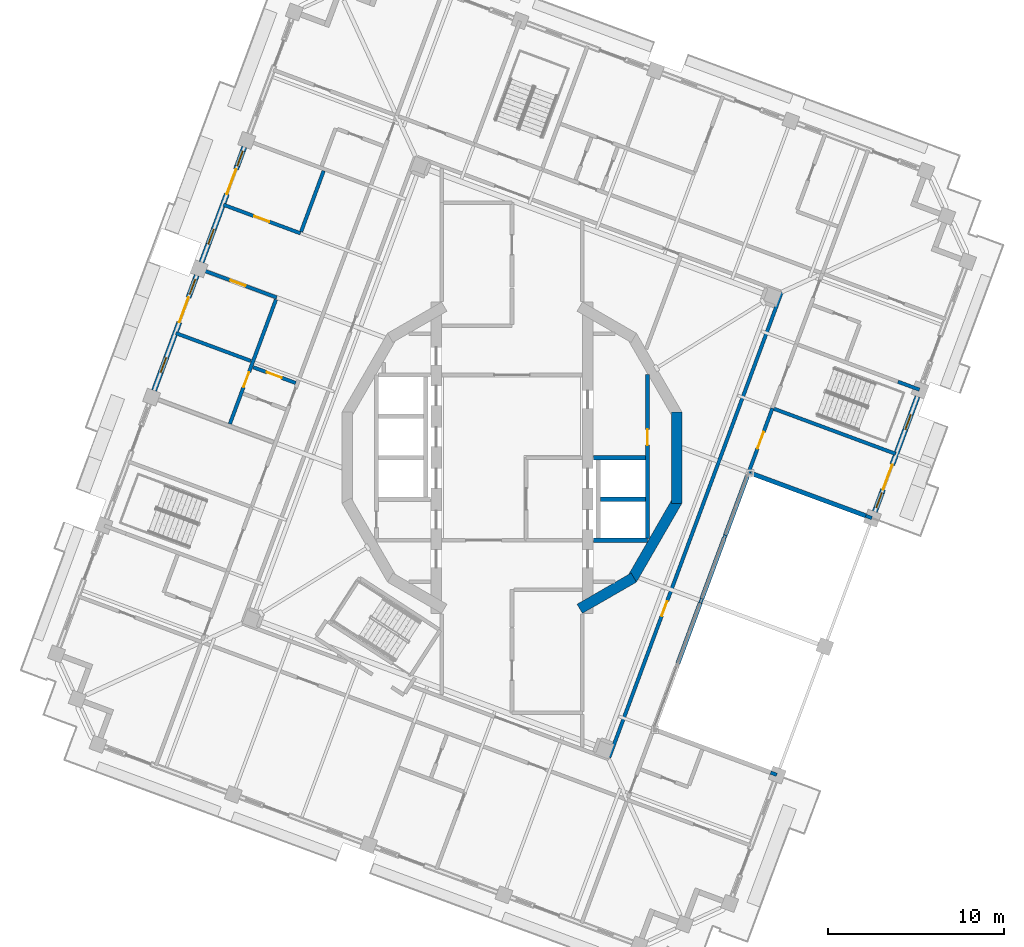
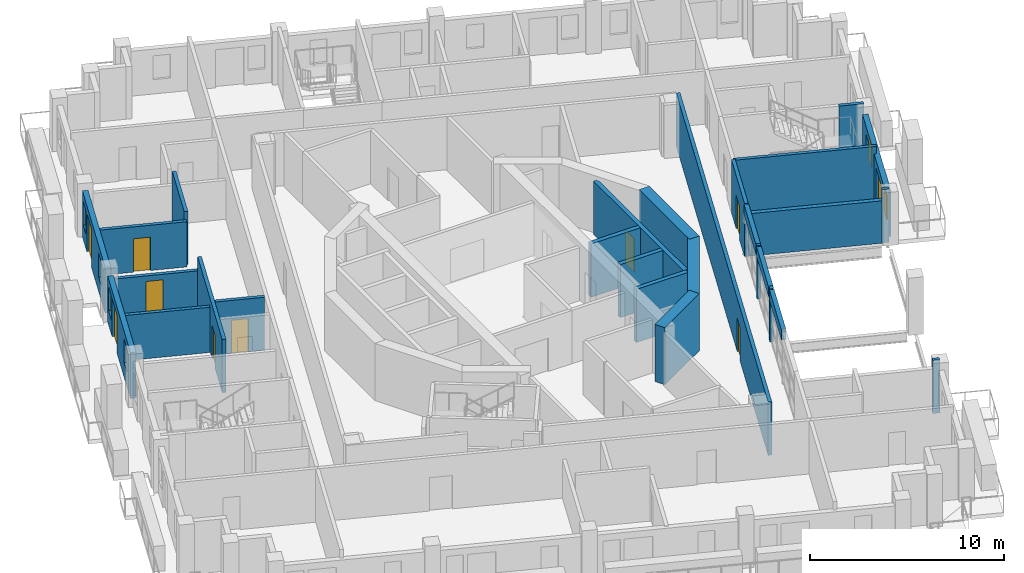
# One storey, part 8 of 19: 28 walls, 10 doors, 6 windows, 16 openings.
"""IFC4 building model written with IfcOpenShell, lengths in metres."""

import ifcopenshell
import ifcopenshell.guid

model = None  # the IFC model being written
_history = None  # IfcOwnerHistory: only IFC2X3 demands one
_inside = {}  # id of a spatial element -> (the spatial element, [elements in it])
_under = {}  # id of a project, library or spatial element -> (it, [spatial elements below it])
_declared = {}  # id of a project -> (the project, [libraries it declares])
_typed = {}  # id of a type object -> (the type object, [elements of that type])
_made_of = {}  # id of a material, layer set ... -> (it, [elements and type objects made of it])


def new_model(schema):
    """Start an empty IFC model of exactly this schema.

    Asked for "IFC4X3", IfcOpenShell would pick the latest addendum, in which some entities
    have other attributes; the version numbers below select the first issue.
    IFC2X3 requires an IfcOwnerHistory on every rooted entity: one is made here for all.
    """
    global model, _history
    if schema == "IFC4X3":
        model = ifcopenshell.file(schema_version=(4, 3, 0, 0))
    else:
        model = ifcopenshell.file(schema=schema)
    _inside.clear()
    _under.clear()
    _declared.clear()
    _typed.clear()
    _made_of.clear()
    _history = None
    if model.schema == "IFC2X3":
        org = make("IfcOrganization", Name="unknown")
        user = make(
            "IfcPersonAndOrganization",
            ThePerson=make("IfcPerson", FamilyName="unknown"),
            TheOrganization=org,
        )
        app = make(
            "IfcApplication",
            ApplicationDeveloper=org,
            Version="unknown",
            ApplicationFullName="unknown",
            ApplicationIdentifier="unknown",
        )
        _history = make(
            "IfcOwnerHistory",
            OwningUser=user,
            OwningApplication=app,
            ChangeAction="ADDED",
            CreationDate=0,
        )
    return model


def make(cls, **values):
    """One entity of the class cls with the attributes given. An attribute that is None is left unset."""
    return model.create_entity(
        cls, **{name: value for name, value in values.items() if value is not None}
    )


def rooted(cls, **values):
    """An entity with a GlobalId (a new one), such as an element, a storey or a relation."""
    return make(cls, GlobalId=ifcopenshell.guid.new(), OwnerHistory=_history, **values)


def si_unit(unit_type, name, prefix=None):
    """IfcSIUnit, for example si_unit("LENGTHUNIT", "METRE", prefix="MILLI")."""
    return make("IfcSIUnit", UnitType=unit_type, Prefix=prefix, Name=name)


def assignment(units):
    """IfcUnitAssignment: the units of a project."""
    return None if units is None else make("IfcUnitAssignment", Units=units)


def point(xyz):
    """IfcCartesianPoint."""
    return None if xyz is None else make("IfcCartesianPoint", Coordinates=xyz)


def direction(xyz):
    """IfcDirection."""
    return None if xyz is None else make("IfcDirection", DirectionRatios=xyz)


def frame(location, z_axis=None, x_axis=None):
    """IfcAxis2Placement3D, a coordinate frame: its origin and axes. An axis left out is left unset."""
    return make(
        "IfcAxis2Placement3D",
        Location=point(location),
        Axis=direction(z_axis),
        RefDirection=direction(x_axis),
    )


def frame_2d(location, x_axis=None):
    """IfcAxis2Placement2D, a coordinate frame in the plane: its origin and x axis."""
    return make(
        "IfcAxis2Placement2D", Location=point(location), RefDirection=direction(x_axis)
    )


def origin():
    """The frame at (0, 0, 0) with its axes left unset."""
    return frame((0.0, 0.0, 0.0))


def place(relative_to, where):
    """IfcLocalPlacement: puts the frame where relative to a parent placement (None: the world)."""
    return make(
        "IfcLocalPlacement", PlacementRelTo=relative_to, RelativePlacement=where
    )


def context(
    kind, dimensions, precision=None, world=None, true_north=None, identifier=None
):
    """IfcGeometricRepresentationContext, for example the 3D "Model" context."""
    return make(
        "IfcGeometricRepresentationContext",
        ContextIdentifier=identifier,
        ContextType=kind,
        CoordinateSpaceDimension=dimensions,
        Precision=precision,
        WorldCoordinateSystem=world,
        TrueNorth=true_north,
    )


def subcontext(parent, identifier, kind, view, scale=None):
    """IfcGeometricRepresentationSubContext, for example "Body" below "Model"."""
    return make(
        "IfcGeometricRepresentationSubContext",
        ContextIdentifier=identifier,
        ContextType=kind,
        ParentContext=parent,
        TargetScale=scale,
        TargetView=view,
    )


def project(units=None, contexts=None):
    """IfcProject with its units and contexts."""
    return rooted(
        "IfcProject",
        Name="project",
        RepresentationContexts=contexts,
        UnitsInContext=assignment(units),
    )


def spatial(cls, under=None, at=None, **own):
    """A site, building, storey or space (cls), placed at a placement, below another one or the project."""
    s = rooted(cls, ObjectPlacement=at, **own)
    if under is not None:
        _under.setdefault(under.id(), (under, []))[1].append(s)
    return s


def profile(cls, at=None, kind="AREA", **sizes):
    """A parametric profile (cls). Its sizes go by their IFC names, for example OverallWidth=200.0."""
    return make(cls, ProfileType=kind, Position=at, **sizes)


def rectangle(**sizes):
    """IfcRectangleProfileDef."""
    return profile("IfcRectangleProfileDef", **sizes)


def extrude(swept, where, along, depth):
    """IfcExtrudedAreaSolid: the profile swept, set in the frame where, extruded along a direction by depth."""
    return make(
        "IfcExtrudedAreaSolid",
        SweptArea=swept,
        Position=where,
        ExtrudedDirection=direction(along),
        Depth=depth,
    )


def shape(context_of_items, identifier, shape_type, items):
    """IfcShapeRepresentation: the items that make up one representation, for example the "Body"."""
    return make(
        "IfcShapeRepresentation",
        ContextOfItems=context_of_items,
        RepresentationIdentifier=identifier,
        RepresentationType=shape_type,
        Items=items,
    )


def material(Name=None, Category=None):
    """IfcMaterial."""
    return make("IfcMaterial", Name=Name, Category=Category)


def layer(
    of_material, thickness, ventilated=None, Name=None, Category=None, Priority=None
):
    """IfcMaterialLayer: one layer of a wall or slab, of a material (None: an air gap)."""
    return make(
        "IfcMaterialLayer",
        Material=of_material,
        LayerThickness=thickness,
        IsVentilated=ventilated,
        Name=Name,
        Category=Category,
        Priority=Priority,
    )


def layer_set(layers, Name=None):
    """IfcMaterialLayerSet."""
    return make("IfcMaterialLayerSet", MaterialLayers=layers, LayerSetName=Name)


def made_of(thing, what):
    """Note that an element or type object is made of a material, layer set ...; save() writes the relation."""
    if what is not None:
        _made_of.setdefault(what.id(), (what, []))[1].append(thing)
    return thing


def type_object(cls, material=None, **own):
    """A type object (cls), such as IfcWallType, which elements share."""
    return made_of(rooted(cls, **own), material)


def element(
    cls,
    number,
    at=None,
    inside=None,
    cuts=None,
    type_object=None,
    material=None,
    context=None,
    identifier="Body",
    shape_type=None,
    held_by="IfcProductDefinitionShape",
    body=None,
    shapes=None,
    **own,
):
    """One element of the class cls, such as IfcWall. Its Tag is "e" and its number.

    at: its placement. inside: the storey or other place that contains it. cuts: it is an
    opening in that element (IfcRelVoidsElement). A single representation is given by context,
    identifier, shape_type and body (its items); several are given by shapes. held_by: the class
    of the entity that holds the representations. save() writes the other relations.
    """
    e = rooted(cls, Tag="e%d" % number, ObjectPlacement=at, **own)
    if body is not None:
        shapes = [shape(context, identifier, shape_type, body)]
    if shapes is not None:
        e.Representation = make(held_by, Representations=shapes)
    if inside is not None:
        _inside.setdefault(inside.id(), (inside, []))[1].append(e)
    if cuts is not None:
        rooted(
            "IfcRelVoidsElement", RelatingBuildingElement=cuts, RelatedOpeningElement=e
        )
    if type_object is not None:
        _typed.setdefault(type_object.id(), (type_object, []))[1].append(e)
    return made_of(e, material)


def fill(opening, filler):
    """IfcRelFillsElement: the door or window that sits in an opening."""
    return rooted(
        "IfcRelFillsElement",
        RelatingOpeningElement=opening,
        RelatedBuildingElement=filler,
    )


def aggregate(whole, parts):
    """IfcRelAggregates: a whole, such as a stair, and the parts it consists of."""
    return rooted("IfcRelAggregates", RelatingObject=whole, RelatedObjects=parts)


def save(model, path):
    """Write the relations noted so far, then the file.

    IfcRelAggregates (storeys below a building ...), IfcRelContainedInSpatialStructure (elements
    in a storey), IfcRelDefinesByType, IfcRelAssociatesMaterial and IfcRelDeclares: one each for
    every whole, place, type object, material and project.
    """
    for whole, parts in _under.values():
        aggregate(whole, parts)
    for where, things in _inside.values():
        rooted(
            "IfcRelContainedInSpatialStructure",
            RelatedElements=things,
            RelatingStructure=where,
        )
    for kind, things in _typed.values():
        rooted("IfcRelDefinesByType", RelatedObjects=things, RelatingType=kind)
    for what, things in _made_of.values():
        rooted("IfcRelAssociatesMaterial", RelatedObjects=things, RelatingMaterial=what)
    for by, libraries in _declared.values():
        rooted("IfcRelDeclares", RelatingContext=by, RelatedDefinitions=libraries)
    model.write(path)


model = new_model("IFC4")

# Units and contexts
model_context = context("Model", 3, precision=1e-05, world=origin(), true_north=direction((0.0, 1.0)))
body_context = subcontext(model_context, "Body", "Model", "MODEL_VIEW")
ifc_project = project(units=[si_unit("LENGTHUNIT", "METRE"), si_unit("AREAUNIT", "SQUARE_METRE"), si_unit("VOLUMEUNIT", "CUBIC_METRE"), si_unit("PLANEANGLEUNIT", "RADIAN"), si_unit("MASSUNIT", "GRAM", prefix="KILO")], contexts=[model_context])

# Site, building, storey
site_placement = place(None, origin())
site = spatial("IfcSite", under=ifc_project, at=site_placement, CompositionType="ELEMENT")
building_placement = place(site_placement, origin())
building = spatial("IfcBuilding", under=site, at=building_placement, Name="Cantera Rosa Tower", CompositionType="ELEMENT")
storey_placement = place(building_placement, frame((0.0, 0.0, 334.89990234375)))
storey = spatial("IfcBuildingStorey", under=building, at=storey_placement, Name="L75", CompositionType="ELEMENT", Elevation=334.89990234375)

# Wall, opening, door
ifc_material_1 = material(Name="Gypsum board partition")
ifc_layer_1 = layer(ifc_material_1, 0.199951171875)
ifc_layer_set_1 = layer_set([ifc_layer_1], Name="CORRIDOR WALL 200 H3350")
wall_type_1 = type_object("IfcWallType", Name="CORRIDOR WALL 200 H3350", PredefinedType="PARTITIONING", material=ifc_layer_set_1)
wall_1_placement = place(storey_placement, frame((5.526123046875, -17.031494140625, 0.0), z_axis=(0.0, 0.0, 1.0), x_axis=(0.347486069264, 0.937685145274, 0.0)))
wall_1 = element("IfcWall", 1, at=wall_1_placement, inside=storey, type_object=wall_type_1, Name="CORRIDOR WALL L75-085", PredefinedType="PARTITIONING", context=body_context, shape_type="SweptSolid", body=[
    extrude(rectangle(XDim=28.199951171875, YDim=0.199951171875, at=frame_2d((14.10009765625, 0.0))), origin(), (0.0, 0.0, 1.0), 3.35009765625),
])
opening_1_placement = place(wall_1_placement, frame((8.570068359375, 0.0, 0.0)))
opening_1 = element("IfcOpeningElement", 2, at=opening_1_placement, cuts=wall_1, Name="Opening L75-007", PredefinedType="OPENING", context=body_context, shape_type="SweptSolid", body=[
    extrude(rectangle(XDim=0.89990234375, YDim=2.10009765625, at=frame_2d((0.449951171875, 1.050048828125))), frame((0.0, 0.10986328125, 0.0), z_axis=(0.0, -1.0, 0.0), x_axis=(1.0, 0.0, 0.0)), (0.0, 0.0, 1.0), 0.219970703125),
])
ifc_material_2 = material(Name="Timber door leaf", Category="wood")
door_type_1 = type_object("IfcDoorType", Name="SERVICE DOOR 900x2100", OperationType="NOTDEFINED", PredefinedType="DOOR", material=ifc_material_2)
door_1_placement = place(opening_1_placement, origin())
door_1 = element("IfcDoor", 3, at=door_1_placement, inside=storey, type_object=door_type_1, Name="DOOR L75-007", OperationType="NOTDEFINED", OverallHeight=2.10009765625, OverallWidth=0.89990234375, PredefinedType="DOOR", context=body_context, shape_type="SweptSolid", body=[
    extrude(rectangle(XDim=0.89990234375, YDim=2.10009765625, at=frame_2d((0.449951171875, 1.050048828125))), frame((0.0, 0.02490234375, 0.0), z_axis=(0.0, -1.0, 0.0), x_axis=(1.0, 0.0, 0.0)), (0.0, 0.0, 1.0), 0.050048828125),
])
fill(opening_1, door_1)

# Walls
wall_2_placement = place(storey_placement, frame((10.69775390625, -8.256103515625, 0.0), z_axis=(0.0, 0.0, 1.0), x_axis=(0.347639521276, 0.937628264957, 0.0)))
element("IfcWall", 4, at=wall_2_placement, inside=storey, type_object=wall_type_1, Name="CORRIDOR WALL L75-092", PredefinedType="PARTITIONING", context=body_context, shape_type="SweptSolid", body=[
    extrude(rectangle(XDim=0.26904296875, YDim=0.199951171875, at=frame_2d((0.134521484375, 0.0))), origin(), (0.0, 0.0, 1.0), 3.35009765625),
])
wall_3_placement = place(storey_placement, frame((12.0625, -4.573486328125, 0.0), z_axis=(0.0, 0.0, 1.0), x_axis=(0.347396343458, 0.937718390857, 0.0)))
element("IfcWall", 5, at=wall_3_placement, inside=storey, type_object=wall_type_1, Name="CORRIDOR WALL L75-093", PredefinedType="PARTITIONING", context=body_context, shape_type="SweptSolid", body=[
    extrude(rectangle(XDim=0.19384765625, YDim=0.199951171875, at=frame_2d((0.096923828125, 0.0))), origin(), (0.0, 0.0, 1.0), 3.35009765625),
])

# Wall, opening, door
wall_4_placement = place(storey_placement, frame((13.404296875, -0.9521484375, 0.0), z_axis=(0.0, 0.0, 1.0), x_axis=(0.347502485966, 0.937679061432, 0.0)))
wall_4 = element("IfcWall", 6, at=wall_4_placement, inside=storey, type_object=wall_type_1, Name="CORRIDOR WALL L75-094", PredefinedType="PARTITIONING", context=body_context, shape_type="SweptSolid", body=[
    extrude(rectangle(XDim=4.01513671875, YDim=0.199951171875, at=frame_2d((2.007568359375, 0.0))), origin(), (0.0, 0.0, 1.0), 3.35009765625),
])
opening_2_placement = place(wall_4_placement, frame((1.570068359375, 0.0, 0.0)))
opening_2 = element("IfcOpeningElement", 7, at=opening_2_placement, cuts=wall_4, Name="Opening L75-045", PredefinedType="OPENING", context=body_context, shape_type="SweptSolid", body=[
    extrude(rectangle(XDim=1.0, YDim=2.10009765625, at=frame_2d((0.5, 1.050048828125))), frame((0.0, 0.10986328125, 0.0), z_axis=(0.0, -1.0, 0.0), x_axis=(1.0, 0.0, 0.0)), (0.0, 0.0, 1.0), 0.219970703125),
])
ifc_material_3 = material(Name="Timber door leaf", Category="wood")
door_type_2 = type_object("IfcDoorType", Name="ROOM DOOR 1000x2100", OperationType="NOTDEFINED", PredefinedType="DOOR", material=ifc_material_3)
door_2_placement = place(opening_2_placement, origin())
door_2 = element("IfcDoor", 8, at=door_2_placement, inside=storey, type_object=door_type_2, Name="DOOR L75-045", OperationType="NOTDEFINED", OverallHeight=2.10009765625, OverallWidth=1.0, PredefinedType="DOOR", context=body_context, shape_type="SweptSolid", body=[
    extrude(rectangle(XDim=1.0, YDim=2.10009765625, at=frame_2d((0.5, 1.050048828125))), frame((0.0, 0.02490234375, 0.0), z_axis=(0.0, -1.0, 0.0), x_axis=(1.0, 0.0, 0.0)), (0.0, 0.0, 1.0), 0.050048828125),
])
fill(opening_2, door_2)

# Wall, openings, windows, door
ifc_material_4 = material(Name="Hollow clay masonry with cantera stone cladding", Category="masonry")
ifc_layer_2 = layer(ifc_material_4, 0.300048828125)
ifc_layer_set_2 = layer_set([ifc_layer_2], Name="EW-LOGGIA 300 H2890")
wall_type_2 = type_object("IfcWallType", Name="EW-LOGGIA 300 H2890", PredefinedType="SOLIDWALL", material=ifc_layer_set_2)
wall_5_placement = place(storey_placement, frame((-15.212646484375, 17.65625, 0.0), z_axis=(0.0, 0.0, 1.0), x_axis=(-0.347502316452, -0.937679124253, 0.0)))
wall_5 = element("IfcWall", 9, at=wall_5_placement, inside=storey, type_object=wall_type_2, Name="EN-L75-W08", PredefinedType="SOLIDWALL", context=body_context, shape_type="SweptSolid", body=[
    extrude(rectangle(XDim=6.97998046875, YDim=0.300048828125, at=frame_2d((3.489990234375, 0.0))), origin(), (0.0, 0.0, 1.0), 2.89013671875),
])
opening_3_placement = place(wall_5_placement, frame((0.2451171875, 0.0, 0.89990234375)))
opening_3 = element("IfcOpeningElement", 10, at=opening_3_placement, cuts=wall_5, Name="Opening L75-W16", PredefinedType="OPENING", context=body_context, shape_type="SweptSolid", body=[
    extrude(rectangle(XDim=0.89990234375, YDim=1.5, at=frame_2d((0.449951171875, 0.75))), frame((0.0, 0.159912109375, 0.0), z_axis=(0.0, -1.0, 0.0), x_axis=(1.0, 0.0, 0.0)), (0.0, 0.0, 1.0), 0.320068359375),
])
opening_4_placement = place(wall_5_placement, frame((1.344970703125, 0.0, 0.0)))
opening_4 = element("IfcOpeningElement", 11, at=opening_4_placement, cuts=wall_5, Name="Opening L75-TD17", PredefinedType="OPENING", context=body_context, shape_type="SweptSolid", body=[
    extrude(rectangle(XDim=1.5, YDim=2.39990234375, at=frame_2d((0.75, 1.199951171875))), frame((0.0, 0.159912109375, 0.0), z_axis=(0.0, -1.0, 0.0), x_axis=(1.0, 0.0, 0.0)), (0.0, 0.0, 1.0), 0.320068359375),
])
opening_5_placement = place(wall_5_placement, frame((4.985107421875, 0.0, 0.89990234375)))
opening_5 = element("IfcOpeningElement", 12, at=opening_5_placement, cuts=wall_5, Name="Opening L75-W18", PredefinedType="OPENING", context=body_context, shape_type="SweptSolid", body=[
    extrude(rectangle(XDim=0.89990234375, YDim=1.5, at=frame_2d((0.449951171875, 0.75))), frame((0.0, 0.159912109375, 0.0), z_axis=(0.0, -1.0, 0.0), x_axis=(1.0, 0.0, 0.0)), (0.0, 0.0, 1.0), 0.320068359375),
])
ifc_material_5 = material(Name="Aluminium frame with clear glass", Category="aluminium")
window_type = type_object("IfcWindowType", Name="Residential window 900x1500", PartitioningType="SINGLE_PANEL", PredefinedType="WINDOW", material=ifc_material_5)
window_1_placement = place(opening_3_placement, origin())
window_1 = element("IfcWindow", 13, at=window_1_placement, inside=storey, type_object=window_type, Name="WINDOW L75-W16", OverallHeight=1.5, OverallWidth=0.89990234375, PartitioningType="SINGLE_PANEL", PredefinedType="WINDOW", context=body_context, shape_type="SweptSolid", body=[
    extrude(rectangle(XDim=0.89990234375, YDim=1.5, at=frame_2d((0.449951171875, 0.75))), frame((0.0, 0.030029296875, 0.0), z_axis=(0.0, -1.0, 0.0), x_axis=(1.0, 0.0, 0.0)), (0.0, 0.0, 1.0), 0.06005859375),
])
fill(opening_3, window_1)
window_2_placement = place(opening_5_placement, origin())
window_2 = element("IfcWindow", 14, at=window_2_placement, inside=storey, type_object=window_type, Name="WINDOW L75-W18", OverallHeight=1.5, OverallWidth=0.89990234375, PartitioningType="SINGLE_PANEL", PredefinedType="WINDOW", context=body_context, shape_type="SweptSolid", body=[
    extrude(rectangle(XDim=0.89990234375, YDim=1.5, at=frame_2d((0.449951171875, 0.75))), frame((0.0, 0.030029296875, 0.0), z_axis=(0.0, -1.0, 0.0), x_axis=(1.0, 0.0, 0.0)), (0.0, 0.0, 1.0), 0.06005859375),
])
fill(opening_5, window_2)
ifc_material_6 = material(Name="Aluminium frame with clear glass", Category="aluminium")
door_type_3 = type_object("IfcDoorType", Name="TD-R 1500x2400", OperationType="NOTDEFINED", PredefinedType="DOOR", material=ifc_material_6)
door_3_placement = place(opening_4_placement, origin())
door_3 = element("IfcDoor", 15, at=door_3_placement, inside=storey, type_object=door_type_3, Name="LOGGIA DOOR L75-TD17", OperationType="SLIDING_TO_LEFT", OverallHeight=2.39990234375, OverallWidth=1.5, PredefinedType="DOOR", context=body_context, shape_type="SweptSolid", body=[
    extrude(rectangle(XDim=1.5, YDim=2.39990234375, at=frame_2d((0.75, 1.199951171875))), frame((0.0, 0.02490234375, 0.0), z_axis=(0.0, -1.0, 0.0), x_axis=(1.0, 0.0, 0.0)), (0.0, 0.0, 1.0), 0.050048828125),
])
fill(opening_4, door_3)

wall_6_placement = place(storey_placement, frame((-17.916015625, 10.361083984375, 0.0), z_axis=(0.0, 0.0, 1.0), x_axis=(-0.347502316452, -0.937679124253, 0.0)))
wall_6 = element("IfcWall", 16, at=wall_6_placement, inside=storey, type_object=wall_type_2, Name="EN-L75-W09", PredefinedType="SOLIDWALL", context=body_context, shape_type="SweptSolid", body=[
    extrude(rectangle(XDim=6.97998046875, YDim=0.300048828125, at=frame_2d((3.489990234375, 0.0))), origin(), (0.0, 0.0, 1.0), 2.89013671875),
])
opening_6_placement = place(wall_6_placement, frame((0.2451171875, 0.0, 0.89990234375)))
opening_6 = element("IfcOpeningElement", 17, at=opening_6_placement, cuts=wall_6, Name="Opening L75-W19", PredefinedType="OPENING", context=body_context, shape_type="SweptSolid", body=[
    extrude(rectangle(XDim=0.89990234375, YDim=1.5, at=frame_2d((0.449951171875, 0.75))), frame((0.0, 0.159912109375, 0.0), z_axis=(0.0, -1.0, 0.0), x_axis=(1.0, 0.0, 0.0)), (0.0, 0.0, 1.0), 0.320068359375),
])
opening_7_placement = place(wall_6_placement, frame((1.344970703125, 0.0, 0.0)))
opening_7 = element("IfcOpeningElement", 18, at=opening_7_placement, cuts=wall_6, Name="Opening L75-TD20", PredefinedType="OPENING", context=body_context, shape_type="SweptSolid", body=[
    extrude(rectangle(XDim=1.5, YDim=2.39990234375, at=frame_2d((0.75, 1.199951171875))), frame((0.0, 0.159912109375, 0.0), z_axis=(0.0, -1.0, 0.0), x_axis=(1.0, 0.0, 0.0)), (0.0, 0.0, 1.0), 0.320068359375),
])
opening_8_placement = place(wall_6_placement, frame((4.985107421875, 0.0, 0.89990234375)))
opening_8 = element("IfcOpeningElement", 19, at=opening_8_placement, cuts=wall_6, Name="Opening L75-W21", PredefinedType="OPENING", context=body_context, shape_type="SweptSolid", body=[
    extrude(rectangle(XDim=0.89990234375, YDim=1.5, at=frame_2d((0.449951171875, 0.75))), frame((0.0, 0.159912109375, 0.0), z_axis=(0.0, -1.0, 0.0), x_axis=(1.0, 0.0, 0.0)), (0.0, 0.0, 1.0), 0.320068359375),
])
window_3_placement = place(opening_6_placement, origin())
window_3 = element("IfcWindow", 20, at=window_3_placement, inside=storey, type_object=window_type, Name="WINDOW L75-W19", OverallHeight=1.5, OverallWidth=0.89990234375, PartitioningType="SINGLE_PANEL", PredefinedType="WINDOW", context=body_context, shape_type="SweptSolid", body=[
    extrude(rectangle(XDim=0.89990234375, YDim=1.5, at=frame_2d((0.449951171875, 0.75))), frame((0.0, 0.030029296875, 0.0), z_axis=(0.0, -1.0, 0.0), x_axis=(1.0, 0.0, 0.0)), (0.0, 0.0, 1.0), 0.06005859375),
])
fill(opening_6, window_3)
window_4_placement = place(opening_8_placement, origin())
window_4 = element("IfcWindow", 21, at=window_4_placement, inside=storey, type_object=window_type, Name="WINDOW L75-W21", OverallHeight=1.5, OverallWidth=0.89990234375, PartitioningType="SINGLE_PANEL", PredefinedType="WINDOW", context=body_context, shape_type="SweptSolid", body=[
    extrude(rectangle(XDim=0.89990234375, YDim=1.5, at=frame_2d((0.449951171875, 0.75))), frame((0.0, 0.030029296875, 0.0), z_axis=(0.0, -1.0, 0.0), x_axis=(1.0, 0.0, 0.0)), (0.0, 0.0, 1.0), 0.06005859375),
])
fill(opening_8, window_4)
door_4_placement = place(opening_7_placement, origin())
door_4 = element("IfcDoor", 22, at=door_4_placement, inside=storey, type_object=door_type_3, Name="LOGGIA DOOR L75-TD20", OperationType="SLIDING_TO_LEFT", OverallHeight=2.39990234375, OverallWidth=1.5, PredefinedType="DOOR", context=body_context, shape_type="SweptSolid", body=[
    extrude(rectangle(XDim=1.5, YDim=2.39990234375, at=frame_2d((0.75, 1.199951171875))), frame((0.0, 0.02490234375, 0.0), z_axis=(0.0, -1.0, 0.0), x_axis=(1.0, 0.0, 0.0)), (0.0, 0.0, 1.0), 0.050048828125),
])
fill(opening_7, door_4)

wall_7_placement = place(storey_placement, frame((20.61962890625, -3.06591796875, 0.0), z_axis=(0.0, 0.0, 1.0), x_axis=(0.347471562124, 0.937690521182, 0.0)))
wall_7 = element("IfcWall", 23, at=wall_7_placement, inside=storey, type_object=wall_type_2, Name="EN-L75-W23", PredefinedType="SOLIDWALL", context=body_context, shape_type="SweptSolid", body=[
    extrude(rectangle(XDim=6.979736328125, YDim=0.300048828125, at=frame_2d((3.48974609375, 0.0))), origin(), (0.0, 0.0, 1.0), 2.89013671875),
])
opening_9_placement = place(wall_7_placement, frame((0.2451171875, 0.0, 0.89990234375)))
opening_9 = element("IfcOpeningElement", 24, at=opening_9_placement, cuts=wall_7, Name="Opening L75-W43", PredefinedType="OPENING", context=body_context, shape_type="SweptSolid", body=[
    extrude(rectangle(XDim=0.89990234375, YDim=1.5, at=frame_2d((0.449951171875, 0.75))), frame((0.0, 0.159912109375, 0.0), z_axis=(0.0, -1.0, 0.0), x_axis=(1.0, 0.0, 0.0)), (0.0, 0.0, 1.0), 0.320068359375),
])
opening_10_placement = place(wall_7_placement, frame((1.344970703125, 0.0, 0.0)))
opening_10 = element("IfcOpeningElement", 25, at=opening_10_placement, cuts=wall_7, Name="Opening L75-TD44", PredefinedType="OPENING", context=body_context, shape_type="SweptSolid", body=[
    extrude(rectangle(XDim=1.5, YDim=2.39990234375, at=frame_2d((0.75, 1.199951171875))), frame((0.0, 0.159912109375, 0.0), z_axis=(0.0, -1.0, 0.0), x_axis=(1.0, 0.0, 0.0)), (0.0, 0.0, 1.0), 0.320068359375),
])
opening_11_placement = place(wall_7_placement, frame((4.985107421875, 0.0, 0.89990234375)))
opening_11 = element("IfcOpeningElement", 26, at=opening_11_placement, cuts=wall_7, Name="Opening L75-W45", PredefinedType="OPENING", context=body_context, shape_type="SweptSolid", body=[
    extrude(rectangle(XDim=0.89990234375, YDim=1.5, at=frame_2d((0.449951171875, 0.75))), frame((0.0, 0.159912109375, 0.0), z_axis=(0.0, -1.0, 0.0), x_axis=(1.0, 0.0, 0.0)), (0.0, 0.0, 1.0), 0.320068359375),
])
window_5_placement = place(opening_9_placement, origin())
window_5 = element("IfcWindow", 27, at=window_5_placement, inside=storey, type_object=window_type, Name="WINDOW L75-W43", OverallHeight=1.5, OverallWidth=0.89990234375, PartitioningType="SINGLE_PANEL", PredefinedType="WINDOW", context=body_context, shape_type="SweptSolid", body=[
    extrude(rectangle(XDim=0.89990234375, YDim=1.5, at=frame_2d((0.449951171875, 0.75))), frame((0.0, 0.030029296875, 0.0), z_axis=(0.0, -1.0, 0.0), x_axis=(1.0, 0.0, 0.0)), (0.0, 0.0, 1.0), 0.06005859375),
])
fill(opening_9, window_5)
window_6_placement = place(opening_11_placement, origin())
window_6 = element("IfcWindow", 28, at=window_6_placement, inside=storey, type_object=window_type, Name="WINDOW L75-W45", OverallHeight=1.5, OverallWidth=0.89990234375, PartitioningType="SINGLE_PANEL", PredefinedType="WINDOW", context=body_context, shape_type="SweptSolid", body=[
    extrude(rectangle(XDim=0.89990234375, YDim=1.5, at=frame_2d((0.449951171875, 0.75))), frame((0.0, 0.030029296875, 0.0), z_axis=(0.0, -1.0, 0.0), x_axis=(1.0, 0.0, 0.0)), (0.0, 0.0, 1.0), 0.06005859375),
])
fill(opening_11, window_6)
door_5_placement = place(opening_10_placement, origin())
door_5 = element("IfcDoor", 29, at=door_5_placement, inside=storey, type_object=door_type_3, Name="LOGGIA DOOR L75-TD44", OperationType="SLIDING_TO_LEFT", OverallHeight=2.39990234375, OverallWidth=1.5, PredefinedType="DOOR", context=body_context, shape_type="SweptSolid", body=[
    extrude(rectangle(XDim=1.5, YDim=2.39990234375, at=frame_2d((0.75, 1.199951171875))), frame((0.0, 0.02490234375, 0.0), z_axis=(0.0, -1.0, 0.0), x_axis=(1.0, 0.0, 0.0)), (0.0, 0.0, 1.0), 0.050048828125),
])
fill(opening_10, door_5)

# Walls
ifc_material_7 = material(Name="Concrete C40/50", Category="concrete")
ifc_layer_3 = layer(ifc_material_7, 0.25)
ifc_layer_set_3 = layer_set([ifc_layer_3], Name="EW-POCKET CHEEK 250 H2670")
wall_type_3 = type_object("IfcWallType", Name="EW-POCKET CHEEK 250 H2670", PredefinedType="SOLIDWALL", material=ifc_layer_set_3)
wall_8_placement = place(storey_placement, frame((20.10546875, -3.302001953125, 0.0), z_axis=(0.0, 0.0, 1.0), x_axis=(-0.937685216413, 0.347485877297, 0.0)))
element("IfcWall", 30, at=wall_8_placement, inside=storey, type_object=wall_type_3, Name="POCKET CHEEK B L75", PredefinedType="SOLIDWALL", context=body_context, shape_type="SweptSolid", body=[
    extrude(rectangle(XDim=7.0, YDim=0.25, at=frame_2d((3.5, 0.0))), origin(), (0.0, 0.0, 1.0), 2.670166015625),
])
ifc_material_8 = material(Name="Hollow clay masonry with cantera stone cladding", Category="masonry")
ifc_layer_4 = layer(ifc_material_8, 0.25)
ifc_layer_set_4 = layer_set([ifc_layer_4], Name="EW-POCKET REAR 250")
wall_type_4 = type_object("IfcWallType", Name="EW-POCKET REAR 250", PredefinedType="SOLIDWALL", material=ifc_layer_set_4)
for number, where, z_axis, x_axis, name in (
    (31, (9.426513671875, -11.686767578125, 2.658203125), (0.0, 0.0, 1.0), (0.347486056262, 0.937685150092, 0.0), "POCKET SPANDREL L75-2"),
    (32, (10.791259765625, -8.00390625, 2.658203125), (0.0, 0.0, 1.0), (0.347486056262, 0.937685150092, 0.0), "POCKET SPANDREL L75-3"),
):
    element("IfcWall", number, at=place(storey_placement, frame(where, z_axis=z_axis, x_axis=x_axis)), inside=storey, type_object=wall_type_4, Name=name, PredefinedType="SOLIDWALL", context=body_context, shape_type="SweptSolid", body=[
        extrude(rectangle(XDim=3.658447265625, YDim=0.25, at=frame_2d((1.8291015625, 0.0))), origin(), (0.0, 0.0, 1.0), 0.641845703125),
    ])
wall_9_placement = place(storey_placement, frame((12.1298828125, -4.3916015625, 2.658203125), z_axis=(0.0, 0.0, 1.0), x_axis=(0.347502945149, 0.937678891259, 0.0)))
element("IfcWall", 33, at=wall_9_placement, inside=storey, type_object=wall_type_4, Name="POCKET SPANDREL L75-4", PredefinedType="SOLIDWALL", context=body_context, shape_type="SweptSolid", body=[
    extrude(rectangle(XDim=3.66796875, YDim=0.25, at=frame_2d((1.833984375, 0.0))), origin(), (0.0, 0.0, 1.0), 0.641845703125),
])

# Wall, opening, door
ifc_material_9 = material(Name="Gypsum board partition")
ifc_layer_5 = layer(ifc_material_9, 0.199951171875)
ifc_layer_set_5 = layer_set([ifc_layer_5], Name="PARTITION 200 H2450")
wall_type_5 = type_object("IfcWallType", Name="PARTITION 200 H2450", PredefinedType="PARTITIONING", material=ifc_layer_set_5)
wall_10_placement = place(storey_placement, frame((-17.7490234375, 10.725830078125, 0.0), z_axis=(0.0, 0.0, 1.0), x_axis=(0.937680003703, -0.347499943388, 0.0)))
wall_10 = element("IfcWall", 34, at=wall_10_placement, inside=storey, type_object=wall_type_5, Name="PARTITION L75-005", PredefinedType="PARTITIONING", context=body_context, shape_type="SweptSolid", body=[
    extrude(rectangle(XDim=4.669921875, YDim=0.199951171875, at=frame_2d((2.3349609375, 0.0))), origin(), (0.0, 0.0, 1.0), 2.4501953125),
])
opening_12_placement = place(wall_10_placement, frame((1.8701171875, 0.0, 0.0)))
opening_12 = element("IfcOpeningElement", 35, at=opening_12_placement, cuts=wall_10, Name="Opening L75-032", PredefinedType="OPENING", context=body_context, shape_type="SweptSolid", body=[
    extrude(rectangle(XDim=0.89990234375, YDim=2.10009765625, at=frame_2d((0.449951171875, 1.050048828125))), frame((0.0, 0.10986328125, 0.0), z_axis=(0.0, -1.0, 0.0), x_axis=(1.0, 0.0, 0.0)), (0.0, 0.0, 1.0), 0.219970703125),
])
ifc_material_10 = material(Name="Timber door leaf", Category="wood")
door_type_4 = type_object("IfcDoorType", Name="ROOM DOOR 900x2100", OperationType="NOTDEFINED", PredefinedType="DOOR", material=ifc_material_10)
door_6_placement = place(opening_12_placement, origin())
door_6 = element("IfcDoor", 36, at=door_6_placement, inside=storey, type_object=door_type_4, Name="DOOR L75-032", OperationType="NOTDEFINED", OverallHeight=2.10009765625, OverallWidth=0.89990234375, PredefinedType="DOOR", context=body_context, shape_type="SweptSolid", body=[
    extrude(rectangle(XDim=0.89990234375, YDim=2.10009765625, at=frame_2d((0.449951171875, 1.050048828125))), frame((0.0, 0.02490234375, 0.0), z_axis=(0.0, -1.0, 0.0), x_axis=(1.0, 0.0, 0.0)), (0.0, 0.0, 1.0), 0.050048828125),
])
fill(opening_12, door_6)

# Wall
ifc_material_11 = material(Name="Gypsum board partition")
ifc_layer_6 = layer(ifc_material_11, 0.199951171875)
ifc_layer_set_6 = layer_set([ifc_layer_6], Name="PARTITION 200 H2850")
wall_type_6 = type_object("IfcWallType", Name="PARTITION 200 H2850", PredefinedType="PARTITIONING", material=ifc_layer_set_6)
wall_11_placement = place(storey_placement, frame((-19.1005859375, 7.078125, 0.0), z_axis=(0.0, 0.0, 1.0), x_axis=(0.937700205551, -0.347445426663, 0.0)))
element("IfcWall", 37, at=wall_11_placement, inside=storey, type_object=wall_type_6, Name="PARTITION L75-004", PredefinedType="PARTITIONING", context=body_context, shape_type="SweptSolid", body=[
    extrude(rectangle(XDim=4.5498046875, YDim=0.199951171875, at=frame_2d((2.27490234375, 0.0))), origin(), (0.0, 0.0, 1.0), 2.85009765625),
])

# Wall, opening, door
wall_12_placement = place(storey_placement, frame((-16.397216796875, 14.373291015625, 0.0), z_axis=(0.0, 0.0, 1.0), x_axis=(0.937697037741, -0.347453975961, 0.0)))
wall_12 = element("IfcWall", 38, at=wall_12_placement, inside=storey, type_object=wall_type_6, Name="PARTITION L75-009", PredefinedType="PARTITIONING", context=body_context, shape_type="SweptSolid", body=[
    extrude(rectangle(XDim=4.669921875, YDim=0.199951171875, at=frame_2d((2.3349609375, 0.0))), origin(), (0.0, 0.0, 1.0), 2.85009765625),
])
opening_13_placement = place(wall_12_placement, frame((1.8701171875, 0.0, 0.0)))
opening_13 = element("IfcOpeningElement", 39, at=opening_13_placement, cuts=wall_12, Name="Opening L75-033", PredefinedType="OPENING", context=body_context, shape_type="SweptSolid", body=[
    extrude(rectangle(XDim=0.89990234375, YDim=2.10009765625, at=frame_2d((0.449951171875, 1.050048828125))), frame((0.0, 0.10986328125, 0.0), z_axis=(0.0, -1.0, 0.0), x_axis=(1.0, 0.0, 0.0)), (0.0, 0.0, 1.0), 0.219970703125),
])
door_7_placement = place(opening_13_placement, origin())
door_7 = element("IfcDoor", 40, at=door_7_placement, inside=storey, type_object=door_type_4, Name="DOOR L75-033", OperationType="NOTDEFINED", OverallHeight=2.10009765625, OverallWidth=0.89990234375, PredefinedType="DOOR", context=body_context, shape_type="SweptSolid", body=[
    extrude(rectangle(XDim=0.89990234375, YDim=2.10009765625, at=frame_2d((0.449951171875, 1.050048828125))), frame((0.0, 0.02490234375, 0.0), z_axis=(0.0, -1.0, 0.0), x_axis=(1.0, 0.0, 0.0)), (0.0, 0.0, 1.0), 0.050048828125),
])
fill(opening_13, door_7)

ifc_material_12 = material(Name="Gypsum board partition")
ifc_layer_7 = layer(ifc_material_12, 0.199951171875)
ifc_layer_set_7 = layer_set([ifc_layer_7], Name="PARTITION 200 H3350")
wall_type_7 = type_object("IfcWallType", Name="PARTITION 200 H3350", PredefinedType="PARTITIONING", material=ifc_layer_set_7)
wall_13_placement = place(storey_placement, frame((-14.7099609375, 5.141845703125, 0.0), z_axis=(0.0, 0.0, 1.0), x_axis=(0.937687105286, -0.34748078016, 0.0)))
wall_13 = element("IfcWall", 41, at=wall_13_placement, inside=storey, type_object=wall_type_7, Name="PARTITION L75-015", PredefinedType="PARTITIONING", context=body_context, shape_type="SweptSolid", body=[
    extrude(rectangle(XDim=2.579833984375, YDim=0.199951171875, at=frame_2d((1.2900390625, 0.0))), origin(), (0.0, 0.0, 1.0), 3.35009765625),
])
opening_14_placement = place(wall_13_placement, frame((0.830078125, 0.0, 0.0)))
opening_14 = element("IfcOpeningElement", 42, at=opening_14_placement, cuts=wall_13, Name="Opening L75-030", PredefinedType="OPENING", context=body_context, shape_type="SweptSolid", body=[
    extrude(rectangle(XDim=0.89990234375, YDim=2.10009765625, at=frame_2d((0.449951171875, 1.050048828125))), frame((0.0, 0.10986328125, 0.0), z_axis=(0.0, -1.0, 0.0), x_axis=(1.0, 0.0, 0.0)), (0.0, 0.0, 1.0), 0.219970703125),
])
door_8_placement = place(opening_14_placement, origin())
door_8 = element("IfcDoor", 43, at=door_8_placement, inside=storey, type_object=door_type_4, Name="DOOR L75-030", OperationType="NOTDEFINED", OverallHeight=2.10009765625, OverallWidth=0.89990234375, PredefinedType="DOOR", context=body_context, shape_type="SweptSolid", body=[
    extrude(rectangle(XDim=0.89990234375, YDim=2.10009765625, at=frame_2d((0.449951171875, 1.050048828125))), frame((0.0, 0.02490234375, 0.0), z_axis=(0.0, -1.0, 0.0), x_axis=(1.0, 0.0, 0.0)), (0.0, 0.0, 1.0), 0.050048828125),
])
fill(opening_14, door_8)

wall_14_placement = place(storey_placement, frame((-13.41162109375, 8.990478515625, 0.0), z_axis=(0.0, 0.0, 1.0), x_axis=(-0.347497846583, -0.937680780767, 0.0)))
wall_14 = element("IfcWall", 44, at=wall_14_placement, inside=storey, type_object=wall_type_7, Name="PARTITION L75-020", PredefinedType="PARTITIONING", context=body_context, shape_type="SweptSolid", body=[
    extrude(rectangle(XDim=7.5400390625, YDim=0.199951171875, at=frame_2d((3.77001953125, 0.0))), origin(), (0.0, 0.0, 1.0), 3.35009765625),
])
opening_15_placement = place(wall_14_placement, frame((4.409912109375, 0.0, 0.0)))
opening_15 = element("IfcOpeningElement", 45, at=opening_15_placement, cuts=wall_14, Name="Opening L75-031", PredefinedType="OPENING", context=body_context, shape_type="SweptSolid", body=[
    extrude(rectangle(XDim=0.89990234375, YDim=2.10009765625, at=frame_2d((0.449951171875, 1.050048828125))), frame((0.0, 0.10986328125, 0.0), z_axis=(0.0, -1.0, 0.0), x_axis=(1.0, 0.0, 0.0)), (0.0, 0.0, 1.0), 0.219970703125),
])
door_9_placement = place(opening_15_placement, origin())
door_9 = element("IfcDoor", 46, at=door_9_placement, inside=storey, type_object=door_type_4, Name="DOOR L75-031", OperationType="NOTDEFINED", OverallHeight=2.10009765625, OverallWidth=0.89990234375, PredefinedType="DOOR", context=body_context, shape_type="SweptSolid", body=[
    extrude(rectangle(XDim=0.89990234375, YDim=2.10009765625, at=frame_2d((0.449951171875, 1.050048828125))), frame((0.0, 0.02490234375, 0.0), z_axis=(0.0, -1.0, 0.0), x_axis=(1.0, 0.0, 0.0)), (0.0, 0.0, 1.0), 0.050048828125),
])
fill(opening_15, door_9)

# Walls
wall_15_placement = place(storey_placement, frame((-11.9833984375, 12.844482421875, 0.0), z_axis=(0.0, 0.0, 1.0), x_axis=(0.347437186781, 0.937703258628, 0.0)))
element("IfcWall", 47, at=wall_15_placement, inside=storey, type_object=wall_type_7, Name="PARTITION L75-021", PredefinedType="PARTITIONING", context=body_context, shape_type="SweptSolid", body=[
    extrude(rectangle(XDim=3.68994140625, YDim=0.199951171875, at=frame_2d((1.844970703125, 0.0))), origin(), (0.0, 0.0, 1.0), 3.35009765625),
])
wall_16_placement = place(storey_placement, frame((14.698486328125, -17.892333984375, 0.0), z_axis=(0.0, 0.0, 1.0), x_axis=(0.937677152558, -0.347507636708, 0.0)))
element("IfcWall", 48, at=wall_16_placement, inside=storey, type_object=wall_type_7, Name="PARTITION L75-099", PredefinedType="PARTITIONING", context=body_context, shape_type="SweptSolid", body=[
    extrude(rectangle(XDim=0.370361328125, YDim=0.199951171875, at=frame_2d((0.18505859375, 0.0))), origin(), (0.0, 0.0, 1.0), 3.35009765625),
])
wall_17_placement = place(storey_placement, frame((20.452392578125, -3.4306640625, 0.0), z_axis=(0.0, 0.0, 1.0), x_axis=(-0.937597447594, 0.347722628348, 0.0)))
element("IfcWall", 49, at=wall_17_placement, inside=storey, type_object=wall_type_7, Name="PARTITION L75-116", PredefinedType="PARTITIONING", context=body_context, shape_type="SweptSolid", body=[
    extrude(rectangle(XDim=0.3701171875, YDim=0.199951171875, at=frame_2d((0.18505859375, 0.0))), origin(), (0.0, 0.0, 1.0), 3.35009765625),
])
ifc_material_13 = material(Name="Concrete C50/60", Category="concrete")
ifc_layer_8 = layer(ifc_material_13, 0.60009765625)
ifc_layer_set_8 = layer_set([ifc_layer_8], Name="RC CORE WALL 600 C50/60")
wall_type_8 = type_object("IfcWallType", Name="RC CORE WALL 600 C50/60", PredefinedType="SHEAR", material=ifc_layer_set_8)
for number, where, z_axis, x_axis, name in (
    (50, (9.359375, 2.588134765625, 0.0), (0.0, 0.0, 1.0), (0.0, -1.0, 0.0), "CW-E3 L75"),
    (51, (9.3994140625, -2.438232421875, 0.0), (0.0, 0.0, 1.0), (-0.499989188378, -0.866031645787, 0.0), "CW-E4 L75"),
):
    element("IfcWall", number, at=place(storey_placement, frame(where, z_axis=z_axis, x_axis=x_axis)), inside=storey, type_object=wall_type_8, Name=name, PredefinedType="SHEAR", context=body_context, shape_type="SweptSolid", body=[
        extrude(rectangle(XDim=5.17626953125, YDim=0.60009765625, at=frame_2d((2.588134765625, 0.0))), origin(), (0.0, 0.0, 1.0), 3.60009765625),
    ])
wall_18_placement = place(storey_placement, frame((6.921142578125, -6.811279296875, 0.0), z_axis=(0.0, 0.0, 1.0), x_axis=(-0.866039982607, -0.499974747889, 0.0)))
element("IfcWall", 52, at=wall_18_placement, inside=storey, type_object=wall_type_8, Name="CW-E5 L75", PredefinedType="SHEAR", context=body_context, shape_type="SweptSolid", body=[
    extrude(rectangle(XDim=3.546142578125, YDim=0.60009765625, at=frame_2d((1.77294921875, 0.0))), origin(), (0.0, 0.0, 1.0), 3.60009765625),
])
ifc_material_14 = material(Name="Masonry blockwork", Category="masonry")
ifc_layer_9 = layer(ifc_material_14, 0.25)
ifc_layer_set_9 = layer_set([ifc_layer_9], Name="SHAFT WALL 250 H3350")
wall_type_9 = type_object("IfcWallType", Name="SHAFT WALL 250 H3350", PredefinedType="SOLIDWALL", material=ifc_layer_set_9)
wall_19_placement = place(storey_placement, frame((4.6298828125, 0.0, 0.0), z_axis=(0.0, 0.0, 1.0), x_axis=(1.0, 0.0, 0.0)))
element("IfcWall", 53, at=wall_19_placement, inside=storey, type_object=wall_type_9, Name="SHAFT WALL L75-081", PredefinedType="SOLIDWALL", context=body_context, shape_type="SweptSolid", body=[
    extrude(rectangle(XDim=2.945068359375, YDim=0.25, at=frame_2d((1.47265625, 0.0))), origin(), (0.0, 0.0, 1.0), 3.35009765625),
])
wall_20_placement = place(storey_placement, frame((7.699951171875, -4.699951171875, 0.0), z_axis=(0.0, 0.0, 1.0), x_axis=(-1.0, 0.0, 0.0)))
element("IfcWall", 54, at=wall_20_placement, inside=storey, type_object=wall_type_9, Name="SHAFT WALL L75-096", PredefinedType="SOLIDWALL", context=body_context, shape_type="SweptSolid", body=[
    extrude(rectangle(XDim=3.070068359375, YDim=0.25, at=frame_2d((1.53515625, 0.0))), origin(), (0.0, 0.0, 1.0), 3.35009765625),
])

# Wall, opening, door
wall_21_placement = place(storey_placement, frame((7.699951171875, -4.580078125, 0.0), z_axis=(0.0, 0.0, 1.0), x_axis=(0.0, 1.0, 0.0)))
wall_21 = element("IfcWall", 55, at=wall_21_placement, inside=storey, type_object=wall_type_9, Name="SHAFT WALL L75-097", PredefinedType="SOLIDWALL", context=body_context, shape_type="SweptSolid", body=[
    extrude(rectangle(XDim=9.3017578125, YDim=0.25, at=frame_2d((4.65087890625, 0.0))), origin(), (0.0, 0.0, 1.0), 3.35009765625),
])
opening_16_placement = place(wall_21_placement, frame((5.2900390625, 0.0, 0.0)))
opening_16 = element("IfcOpeningElement", 56, at=opening_16_placement, cuts=wall_21, Name="Opening L75-053", PredefinedType="OPENING", context=body_context, shape_type="SweptSolid", body=[
    extrude(rectangle(XDim=0.89990234375, YDim=2.10009765625, at=frame_2d((0.449951171875, 1.050048828125))), frame((0.0, 0.135009765625, 0.0), z_axis=(0.0, -1.0, 0.0), x_axis=(1.0, 0.0, 0.0)), (0.0, 0.0, 1.0), 0.27001953125),
])
door_10_placement = place(opening_16_placement, origin())
door_10 = element("IfcDoor", 57, at=door_10_placement, inside=storey, type_object=door_type_1, Name="RISER DOOR L75-053", OperationType="NOTDEFINED", OverallHeight=2.10009765625, OverallWidth=0.89990234375, PredefinedType="DOOR", context=body_context, shape_type="SweptSolid", body=[
    extrude(rectangle(XDim=0.89990234375, YDim=2.10009765625, at=frame_2d((0.449951171875, 1.050048828125))), frame((0.0, 0.02490234375, 0.0), z_axis=(0.0, -1.0, 0.0), x_axis=(1.0, 0.0, 0.0)), (0.0, 0.0, 1.0), 0.050048828125),
])
fill(opening_16, door_10)

# Walls
wall_22_placement = place(storey_placement, frame((7.574951171875, -2.35009765625, 0.0), z_axis=(0.0, 0.0, 1.0), x_axis=(-1.0, 0.0, 0.0)))
element("IfcWall", 58, at=wall_22_placement, inside=storey, type_object=wall_type_9, Name="SHAFT WALL L75-098", PredefinedType="SOLIDWALL", context=body_context, shape_type="SweptSolid", body=[
    extrude(rectangle(XDim=2.554931640625, YDim=0.25, at=frame_2d((1.27734375, 0.0))), origin(), (0.0, 0.0, 1.0), 3.35009765625),
])
ifc_material_15 = material(Name="Concrete C50/60", Category="concrete")
ifc_layer_10 = layer(ifc_material_15, 0.199951171875)
ifc_layer_set_10 = layer_set([ifc_layer_10], Name="STAIR WALL 200 H3350")
wall_type_10 = type_object("IfcWallType", Name="STAIR WALL 200 H3350", PredefinedType="SOLIDWALL", material=ifc_layer_set_10)
wall_23_placement = place(storey_placement, frame((14.799560546875, 2.812744140625, 0.0), z_axis=(0.0, 0.0, 1.0), x_axis=(0.93768803379, -0.347478274555, 0.0)))
element("IfcWall", 59, at=wall_23_placement, inside=storey, type_object=wall_type_10, Name="STAIR WALL L75-106", PredefinedType="SOLIDWALL", context=body_context, shape_type="SweptSolid", body=[
    extrude(rectangle(XDim=7.47021484375, YDim=0.199951171875, at=frame_2d((3.735107421875, 0.0))), origin(), (0.0, 0.0, 1.0), 3.35009765625),
])
wall_24_placement = place(storey_placement, frame((23.15576171875, 3.864501953125, 0.0), z_axis=(0.0, 0.0, 1.0), x_axis=(-0.937642248704, 0.347601802994, 0.0)))
element("IfcWall", 60, at=wall_24_placement, inside=storey, type_object=wall_type_10, Name="STAIR WALL L75-117", PredefinedType="SOLIDWALL", context=body_context, shape_type="SweptSolid", body=[
    extrude(rectangle(XDim=1.300048828125, YDim=0.199951171875, at=frame_2d((0.64990234375, 0.0))), origin(), (0.0, 0.0, 1.0), 3.35009765625),
])

save(model, "model.ifc")
